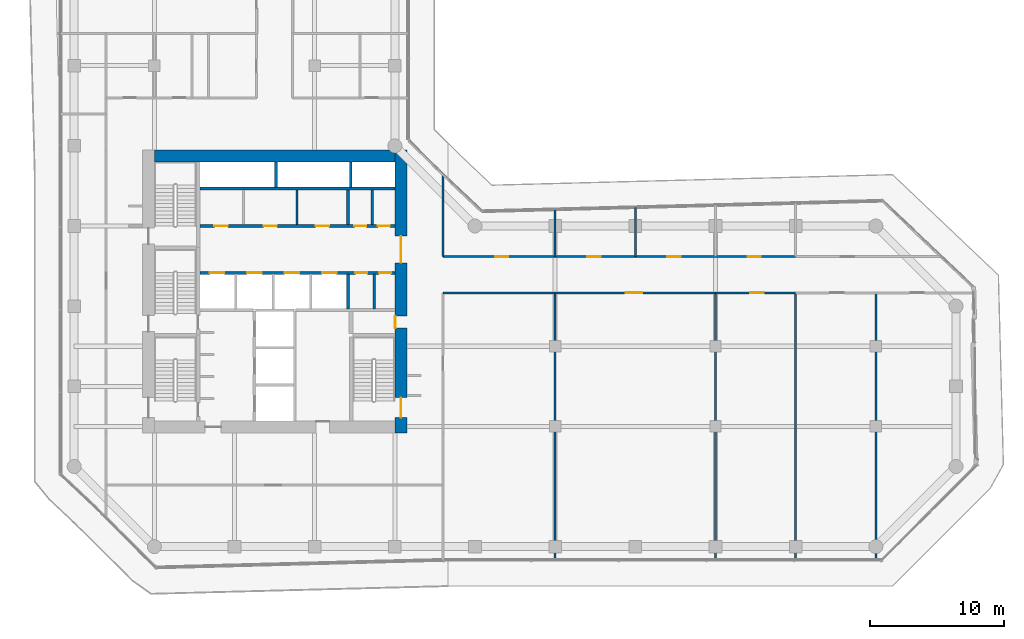
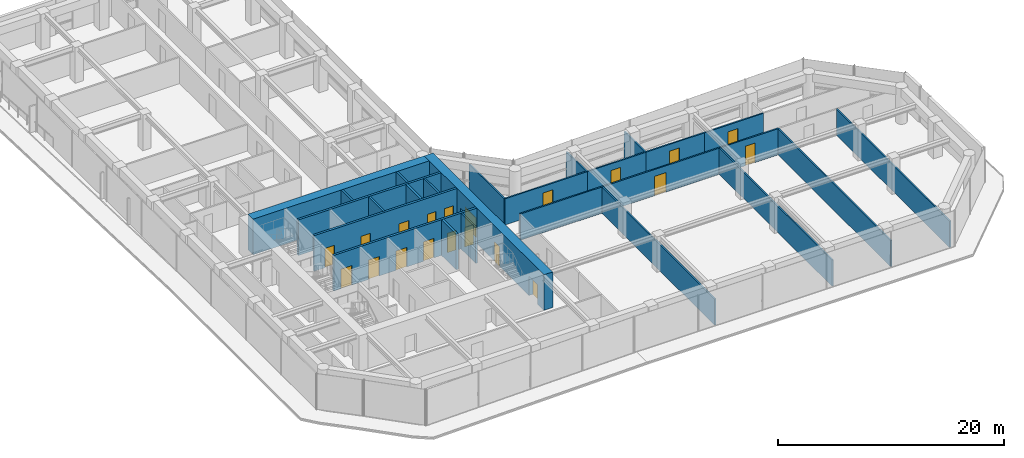
# One storey, part 24 of 29: 26 walls, 20 doors, 20 openings.
"""IFC4 building model written with IfcOpenShell, lengths in metres."""

import ifcopenshell
import ifcopenshell.guid

model = None  # the IFC model being written
_history = None  # IfcOwnerHistory: only IFC2X3 demands one
_inside = {}  # id of a spatial element -> (the spatial element, [elements in it])
_under = {}  # id of a project, library or spatial element -> (it, [spatial elements below it])
_declared = {}  # id of a project -> (the project, [libraries it declares])
_typed = {}  # id of a type object -> (the type object, [elements of that type])
_made_of = {}  # id of a material, layer set ... -> (it, [elements and type objects made of it])


def new_model(schema):
    """Start an empty IFC model of exactly this schema.

    Asked for "IFC4X3", IfcOpenShell would pick the latest addendum, in which some entities
    have other attributes; the version numbers below select the first issue.
    IFC2X3 requires an IfcOwnerHistory on every rooted entity: one is made here for all.
    """
    global model, _history
    if schema == "IFC4X3":
        model = ifcopenshell.file(schema_version=(4, 3, 0, 0))
    else:
        model = ifcopenshell.file(schema=schema)
    _inside.clear()
    _under.clear()
    _declared.clear()
    _typed.clear()
    _made_of.clear()
    _history = None
    if model.schema == "IFC2X3":
        org = make("IfcOrganization", Name="unknown")
        user = make(
            "IfcPersonAndOrganization",
            ThePerson=make("IfcPerson", FamilyName="unknown"),
            TheOrganization=org,
        )
        app = make(
            "IfcApplication",
            ApplicationDeveloper=org,
            Version="unknown",
            ApplicationFullName="unknown",
            ApplicationIdentifier="unknown",
        )
        _history = make(
            "IfcOwnerHistory",
            OwningUser=user,
            OwningApplication=app,
            ChangeAction="ADDED",
            CreationDate=0,
        )
    return model


def make(cls, **values):
    """One entity of the class cls with the attributes given. An attribute that is None is left unset."""
    return model.create_entity(
        cls, **{name: value for name, value in values.items() if value is not None}
    )


def rooted(cls, **values):
    """An entity with a GlobalId (a new one), such as an element, a storey or a relation."""
    return make(cls, GlobalId=ifcopenshell.guid.new(), OwnerHistory=_history, **values)


def si_unit(unit_type, name, prefix=None):
    """IfcSIUnit, for example si_unit("LENGTHUNIT", "METRE", prefix="MILLI")."""
    return make("IfcSIUnit", UnitType=unit_type, Prefix=prefix, Name=name)


def assignment(units):
    """IfcUnitAssignment: the units of a project."""
    return None if units is None else make("IfcUnitAssignment", Units=units)


def point(xyz):
    """IfcCartesianPoint."""
    return None if xyz is None else make("IfcCartesianPoint", Coordinates=xyz)


def direction(xyz):
    """IfcDirection."""
    return None if xyz is None else make("IfcDirection", DirectionRatios=xyz)


def frame(location, z_axis=None, x_axis=None):
    """IfcAxis2Placement3D, a coordinate frame: its origin and axes. An axis left out is left unset."""
    return make(
        "IfcAxis2Placement3D",
        Location=point(location),
        Axis=direction(z_axis),
        RefDirection=direction(x_axis),
    )


def frame_2d(location, x_axis=None):
    """IfcAxis2Placement2D, a coordinate frame in the plane: its origin and x axis."""
    return make(
        "IfcAxis2Placement2D", Location=point(location), RefDirection=direction(x_axis)
    )


def origin():
    """The frame at (0, 0, 0) with its axes left unset."""
    return frame((0.0, 0.0, 0.0))


def place(relative_to, where):
    """IfcLocalPlacement: puts the frame where relative to a parent placement (None: the world)."""
    return make(
        "IfcLocalPlacement", PlacementRelTo=relative_to, RelativePlacement=where
    )


def context(
    kind, dimensions, precision=None, world=None, true_north=None, identifier=None
):
    """IfcGeometricRepresentationContext, for example the 3D "Model" context."""
    return make(
        "IfcGeometricRepresentationContext",
        ContextIdentifier=identifier,
        ContextType=kind,
        CoordinateSpaceDimension=dimensions,
        Precision=precision,
        WorldCoordinateSystem=world,
        TrueNorth=true_north,
    )


def subcontext(parent, identifier, kind, view, scale=None):
    """IfcGeometricRepresentationSubContext, for example "Body" below "Model"."""
    return make(
        "IfcGeometricRepresentationSubContext",
        ContextIdentifier=identifier,
        ContextType=kind,
        ParentContext=parent,
        TargetScale=scale,
        TargetView=view,
    )


def project(units=None, contexts=None):
    """IfcProject with its units and contexts."""
    return rooted(
        "IfcProject",
        Name="project",
        RepresentationContexts=contexts,
        UnitsInContext=assignment(units),
    )


def spatial(cls, under=None, at=None, **own):
    """A site, building, storey or space (cls), placed at a placement, below another one or the project."""
    s = rooted(cls, ObjectPlacement=at, **own)
    if under is not None:
        _under.setdefault(under.id(), (under, []))[1].append(s)
    return s


def profile(cls, at=None, kind="AREA", **sizes):
    """A parametric profile (cls). Its sizes go by their IFC names, for example OverallWidth=200.0."""
    return make(cls, ProfileType=kind, Position=at, **sizes)


def rectangle(**sizes):
    """IfcRectangleProfileDef."""
    return profile("IfcRectangleProfileDef", **sizes)


def extrude(swept, where, along, depth):
    """IfcExtrudedAreaSolid: the profile swept, set in the frame where, extruded along a direction by depth."""
    return make(
        "IfcExtrudedAreaSolid",
        SweptArea=swept,
        Position=where,
        ExtrudedDirection=direction(along),
        Depth=depth,
    )


def shape(context_of_items, identifier, shape_type, items):
    """IfcShapeRepresentation: the items that make up one representation, for example the "Body"."""
    return make(
        "IfcShapeRepresentation",
        ContextOfItems=context_of_items,
        RepresentationIdentifier=identifier,
        RepresentationType=shape_type,
        Items=items,
    )


def material(Name=None, Category=None):
    """IfcMaterial."""
    return make("IfcMaterial", Name=Name, Category=Category)


def layer(
    of_material, thickness, ventilated=None, Name=None, Category=None, Priority=None
):
    """IfcMaterialLayer: one layer of a wall or slab, of a material (None: an air gap)."""
    return make(
        "IfcMaterialLayer",
        Material=of_material,
        LayerThickness=thickness,
        IsVentilated=ventilated,
        Name=Name,
        Category=Category,
        Priority=Priority,
    )


def layer_set(layers, Name=None):
    """IfcMaterialLayerSet."""
    return make("IfcMaterialLayerSet", MaterialLayers=layers, LayerSetName=Name)


def made_of(thing, what):
    """Note that an element or type object is made of a material, layer set ...; save() writes the relation."""
    if what is not None:
        _made_of.setdefault(what.id(), (what, []))[1].append(thing)
    return thing


def type_object(cls, material=None, **own):
    """A type object (cls), such as IfcWallType, which elements share."""
    return made_of(rooted(cls, **own), material)


def element(
    cls,
    number,
    at=None,
    inside=None,
    cuts=None,
    type_object=None,
    material=None,
    context=None,
    identifier="Body",
    shape_type=None,
    held_by="IfcProductDefinitionShape",
    body=None,
    shapes=None,
    **own,
):
    """One element of the class cls, such as IfcWall. Its Tag is "e" and its number.

    at: its placement. inside: the storey or other place that contains it. cuts: it is an
    opening in that element (IfcRelVoidsElement). A single representation is given by context,
    identifier, shape_type and body (its items); several are given by shapes. held_by: the class
    of the entity that holds the representations. save() writes the other relations.
    """
    e = rooted(cls, Tag="e%d" % number, ObjectPlacement=at, **own)
    if body is not None:
        shapes = [shape(context, identifier, shape_type, body)]
    if shapes is not None:
        e.Representation = make(held_by, Representations=shapes)
    if inside is not None:
        _inside.setdefault(inside.id(), (inside, []))[1].append(e)
    if cuts is not None:
        rooted(
            "IfcRelVoidsElement", RelatingBuildingElement=cuts, RelatedOpeningElement=e
        )
    if type_object is not None:
        _typed.setdefault(type_object.id(), (type_object, []))[1].append(e)
    return made_of(e, material)


def fill(opening, filler):
    """IfcRelFillsElement: the door or window that sits in an opening."""
    return rooted(
        "IfcRelFillsElement",
        RelatingOpeningElement=opening,
        RelatedBuildingElement=filler,
    )


def aggregate(whole, parts):
    """IfcRelAggregates: a whole, such as a stair, and the parts it consists of."""
    return rooted("IfcRelAggregates", RelatingObject=whole, RelatedObjects=parts)


def save(model, path):
    """Write the relations noted so far, then the file.

    IfcRelAggregates (storeys below a building ...), IfcRelContainedInSpatialStructure (elements
    in a storey), IfcRelDefinesByType, IfcRelAssociatesMaterial and IfcRelDeclares: one each for
    every whole, place, type object, material and project.
    """
    for whole, parts in _under.values():
        aggregate(whole, parts)
    for where, things in _inside.values():
        rooted(
            "IfcRelContainedInSpatialStructure",
            RelatedElements=things,
            RelatingStructure=where,
        )
    for kind, things in _typed.values():
        rooted("IfcRelDefinesByType", RelatedObjects=things, RelatingType=kind)
    for what, things in _made_of.values():
        rooted("IfcRelAssociatesMaterial", RelatedObjects=things, RelatingMaterial=what)
    for by, libraries in _declared.values():
        rooted("IfcRelDeclares", RelatingContext=by, RelatedDefinitions=libraries)
    model.write(path)


model = new_model("IFC4")

# Units and contexts
model_context = context("Model", 3, precision=1e-05, world=origin(), true_north=direction((0.0, 1.0)))
body_context = subcontext(model_context, "Body", "Model", "MODEL_VIEW")
ifc_project = project(units=[si_unit("LENGTHUNIT", "METRE"), si_unit("AREAUNIT", "SQUARE_METRE"), si_unit("VOLUMEUNIT", "CUBIC_METRE"), si_unit("PLANEANGLEUNIT", "RADIAN"), si_unit("MASSUNIT", "GRAM", prefix="KILO")], contexts=[model_context])

# Site, building, storey
site_placement = place(None, origin())
site = spatial("IfcSite", under=ifc_project, at=site_placement, CompositionType="ELEMENT")
building_placement = place(site_placement, origin())
building = spatial("IfcBuilding", under=site, at=building_placement, Name="Welwitschia Terrace Campus", CompositionType="ELEMENT")
storey_placement = place(building_placement, frame((0.0, 0.0, 58.39990234375)))
storey = spatial("IfcBuildingStorey", under=building, at=storey_placement, Name="L13", CompositionType="ELEMENT", Elevation=58.39990234375)

# Walls
ifc_material_1 = material(Name="Concrete C32/40", Category="concrete")
ifc_layer_1 = layer(ifc_material_1, 0.175048828125)
ifc_layer_set_1 = layer_set([ifc_layer_1], Name="Concrete C32/40")
wall_type_1 = type_object("IfcWallType", Name="Core partition 175 Concrete C32/40", PredefinedType="PARTITIONING", material=ifc_layer_set_1)
for number, where, z_axis, x_axis, name in (
    (1, (16.675048828125, 20.10009765625, 0.0), (0.0, 0.0, 1.0), (0.0, 1.0, 0.0), "Core partition"),
    (2, (22.300048828125, 20.10009765625, 0.0), (0.0, 0.0, 1.0), (0.0, 1.0, 0.0), "Core partition"),
    (3, (22.469970703125, 13.800048828125, 0.0), (0.0, 0.0, 1.0), (0.0, 1.0, 0.0), "Core partition"),
):
    element("IfcWall", number, at=place(storey_placement, frame(where, z_axis=z_axis, x_axis=x_axis)), inside=storey, type_object=wall_type_1, Name=name, PredefinedType="PARTITIONING", context=body_context, shape_type="SweptSolid", body=[
        extrude(rectangle(XDim=2.599853515625, YDim=0.175048828125, at=frame_2d((1.2998046875, 0.0))), origin(), (0.0, 0.0, 1.0), 3.85009765625),
    ])

# Wall, openings, doors
ifc_material_2 = material(Name="Concrete C32/40", Category="concrete")
ifc_layer_2 = layer(ifc_material_2, 0.22509765625)
ifc_layer_set_2 = layer_set([ifc_layer_2], Name="Concrete C32/40")
wall_type_2 = type_object("IfcWallType", Name="Core partition 225 Concrete C32/40", PredefinedType="PARTITIONING", material=ifc_layer_set_2)
wall_1_placement = place(storey_placement, frame((9.39990234375, 16.5, 0.0), z_axis=(0.0, 0.0, 1.0), x_axis=(1.0, 0.0, 0.0)))
wall_1 = element("IfcWall", 4, at=wall_1_placement, inside=storey, type_object=wall_type_2, Name="Shaft wall", PredefinedType="PARTITIONING", context=body_context, shape_type="SweptSolid", body=[
    extrude(rectangle(XDim=14.60009765625, YDim=0.22509765625, at=frame_2d((7.300048828125, 0.0))), origin(), (0.0, 0.0, 1.0), 3.85009765625),
])
opening_1_placement = place(wall_1_placement, frame((0.75, 0.0, 0.0)))
opening_1 = element("IfcOpeningElement", 5, at=opening_1_placement, cuts=wall_1, Name="Opening LD", PredefinedType="OPENING", context=body_context, shape_type="SweptSolid", body=[
    extrude(rectangle(XDim=1.10009765625, YDim=2.10009765625, at=frame_2d((0.550048828125, 1.050048828125))), frame((0.0, 0.12255859375, 0.0), z_axis=(0.0, -1.0, 0.0), x_axis=(1.0, 0.0, 0.0)), (0.0, 0.0, 1.0), 0.2451171875),
])
opening_2_placement = place(wall_1_placement, frame((3.550048828125, 0.0, 0.0)))
opening_2 = element("IfcOpeningElement", 6, at=opening_2_placement, cuts=wall_1, Name="Opening LD", PredefinedType="OPENING", context=body_context, shape_type="SweptSolid", body=[
    extrude(rectangle(XDim=1.10009765625, YDim=2.10009765625, at=frame_2d((0.550048828125, 1.050048828125))), frame((0.0, 0.12255859375, 0.0), z_axis=(0.0, -1.0, 0.0), x_axis=(1.0, 0.0, 0.0)), (0.0, 0.0, 1.0), 0.2451171875),
])
opening_3_placement = place(wall_1_placement, frame((6.35009765625, 0.0, 0.0)))
opening_3 = element("IfcOpeningElement", 7, at=opening_3_placement, cuts=wall_1, Name="Opening LD", PredefinedType="OPENING", context=body_context, shape_type="SweptSolid", body=[
    extrude(rectangle(XDim=1.10009765625, YDim=2.10009765625, at=frame_2d((0.550048828125, 1.050048828125))), frame((0.0, 0.12255859375, 0.0), z_axis=(0.0, -1.0, 0.0), x_axis=(1.0, 0.0, 0.0)), (0.0, 0.0, 1.0), 0.2451171875),
])
opening_4_placement = place(wall_1_placement, frame((9.14990234375, 0.0, 0.0)))
opening_4 = element("IfcOpeningElement", 8, at=opening_4_placement, cuts=wall_1, Name="Opening LD", PredefinedType="OPENING", context=body_context, shape_type="SweptSolid", body=[
    extrude(rectangle(XDim=1.10009765625, YDim=2.10009765625, at=frame_2d((0.550048828125, 1.050048828125))), frame((0.0, 0.12255859375, 0.0), z_axis=(0.0, -1.0, 0.0), x_axis=(1.0, 0.0, 0.0)), (0.0, 0.0, 1.0), 0.2451171875),
])
opening_5_placement = place(wall_1_placement, frame((11.6474609375, 0.0, 0.0)))
opening_5 = element("IfcOpeningElement", 9, at=opening_5_placement, cuts=wall_1, Name="Opening DR09", PredefinedType="OPENING", context=body_context, shape_type="SweptSolid", body=[
    extrude(rectangle(XDim=0.89990234375, YDim=2.10009765625, at=frame_2d((0.449951171875, 1.050048828125))), frame((0.0, 0.12255859375, 0.0), z_axis=(0.0, -1.0, 0.0), x_axis=(1.0, 0.0, 0.0)), (0.0, 0.0, 1.0), 0.2451171875),
])
opening_6_placement = place(wall_1_placement, frame((13.422607421875, 0.0, 0.0)))
opening_6 = element("IfcOpeningElement", 10, at=opening_6_placement, cuts=wall_1, Name="Opening DR09", PredefinedType="OPENING", context=body_context, shape_type="SweptSolid", body=[
    extrude(rectangle(XDim=0.89990234375, YDim=2.10009765625, at=frame_2d((0.449951171875, 1.050048828125))), frame((0.0, 0.12255859375, 0.0), z_axis=(0.0, -1.0, 0.0), x_axis=(1.0, 0.0, 0.0)), (0.0, 0.0, 1.0), 0.2451171875),
])
ifc_material_3 = material(Name="Steel S275", Category="steel")
door_type_1 = type_object("IfcDoorType", Name="Core door DR09", OperationType="SINGLE_SWING_LEFT", PredefinedType="DOOR", material=ifc_material_3)
door_1_placement = place(opening_5_placement, origin())
door_1 = element("IfcDoor", 11, at=door_1_placement, inside=storey, type_object=door_type_1, Name="Door EL1-D", OperationType="SINGLE_SWING_RIGHT", OverallHeight=2.10009765625, OverallWidth=0.89990234375, PredefinedType="DOOR", context=body_context, shape_type="SweptSolid", body=[
    extrude(rectangle(XDim=0.89990234375, YDim=2.10009765625, at=frame_2d((0.449951171875, 1.050048828125))), frame((0.0, 0.02490234375, 0.0), z_axis=(0.0, -1.0, 0.0), x_axis=(1.0, 0.0, 0.0)), (0.0, 0.0, 1.0), 0.050048828125),
])
fill(opening_5, door_1)
door_2_placement = place(opening_6_placement, origin())
door_2 = element("IfcDoor", 12, at=door_2_placement, inside=storey, type_object=door_type_1, Name="Door EL2-D", OperationType="SINGLE_SWING_RIGHT", OverallHeight=2.10009765625, OverallWidth=0.89990234375, PredefinedType="DOOR", context=body_context, shape_type="SweptSolid", body=[
    extrude(rectangle(XDim=0.89990234375, YDim=2.10009765625, at=frame_2d((0.449951171875, 1.050048828125))), frame((0.0, 0.02490234375, 0.0), z_axis=(0.0, -1.0, 0.0), x_axis=(1.0, 0.0, 0.0)), (0.0, 0.0, 1.0), 0.050048828125),
])
fill(opening_6, door_2)
ifc_material_4 = material(Name="Stainless steel 304", Category="steel")
door_type_2 = type_object("IfcDoorType", Name="Lift landing door", OperationType="DOUBLE_DOOR_SLIDING", PredefinedType="DOOR", material=ifc_material_4)
door_3_placement = place(opening_1_placement, origin())
door_3 = element("IfcDoor", 13, at=door_3_placement, inside=storey, type_object=door_type_2, Name="Landing door LR1", OperationType="DOUBLE_DOOR_SLIDING", OverallHeight=2.10009765625, OverallWidth=1.10009765625, PredefinedType="DOOR", context=body_context, shape_type="SweptSolid", body=[
    extrude(rectangle(XDim=1.10009765625, YDim=2.10009765625, at=frame_2d((0.550048828125, 1.050048828125))), frame((0.0, 0.02490234375, 0.0), z_axis=(0.0, -1.0, 0.0), x_axis=(1.0, 0.0, 0.0)), (0.0, 0.0, 1.0), 0.050048828125),
])
fill(opening_1, door_3)
door_4_placement = place(opening_2_placement, origin())
door_4 = element("IfcDoor", 14, at=door_4_placement, inside=storey, type_object=door_type_2, Name="Landing door LR2", OperationType="DOUBLE_DOOR_SLIDING", OverallHeight=2.10009765625, OverallWidth=1.10009765625, PredefinedType="DOOR", context=body_context, shape_type="SweptSolid", body=[
    extrude(rectangle(XDim=1.10009765625, YDim=2.10009765625, at=frame_2d((0.550048828125, 1.050048828125))), frame((0.0, 0.02490234375, 0.0), z_axis=(0.0, -1.0, 0.0), x_axis=(1.0, 0.0, 0.0)), (0.0, 0.0, 1.0), 0.050048828125),
])
fill(opening_2, door_4)
door_5_placement = place(opening_3_placement, origin())
door_5 = element("IfcDoor", 15, at=door_5_placement, inside=storey, type_object=door_type_2, Name="Landing door LR3", OperationType="DOUBLE_DOOR_SLIDING", OverallHeight=2.10009765625, OverallWidth=1.10009765625, PredefinedType="DOOR", context=body_context, shape_type="SweptSolid", body=[
    extrude(rectangle(XDim=1.10009765625, YDim=2.10009765625, at=frame_2d((0.550048828125, 1.050048828125))), frame((0.0, 0.02490234375, 0.0), z_axis=(0.0, -1.0, 0.0), x_axis=(1.0, 0.0, 0.0)), (0.0, 0.0, 1.0), 0.050048828125),
])
fill(opening_3, door_5)
door_6_placement = place(opening_4_placement, origin())
door_6 = element("IfcDoor", 16, at=door_6_placement, inside=storey, type_object=door_type_2, Name="Landing door LR4", OperationType="DOUBLE_DOOR_SLIDING", OverallHeight=2.10009765625, OverallWidth=1.10009765625, PredefinedType="DOOR", context=body_context, shape_type="SweptSolid", body=[
    extrude(rectangle(XDim=1.10009765625, YDim=2.10009765625, at=frame_2d((0.550048828125, 1.050048828125))), frame((0.0, 0.02490234375, 0.0), z_axis=(0.0, -1.0, 0.0), x_axis=(1.0, 0.0, 0.0)), (0.0, 0.0, 1.0), 0.050048828125),
])
fill(opening_4, door_6)

wall_2_placement = place(storey_placement, frame((24.0, 20.0, 0.0), z_axis=(0.0, 0.0, 1.0), x_axis=(-1.0, 0.0, 0.0)))
wall_2 = element("IfcWall", 17, at=wall_2_placement, inside=storey, type_object=wall_type_2, Name="Core partition", PredefinedType="PARTITIONING", context=body_context, shape_type="SweptSolid", body=[
    extrude(rectangle(XDim=14.60009765625, YDim=0.22509765625, at=frame_2d((7.300048828125, 0.0))), origin(), (0.0, 0.0, 1.0), 3.85009765625),
])
opening_7_placement = place(wall_2_placement, frame((12.5, 0.0, 0.0)))
opening_7 = element("IfcOpeningElement", 18, at=opening_7_placement, cuts=wall_2, Name="Opening DR10", PredefinedType="OPENING", context=body_context, shape_type="SweptSolid", body=[
    extrude(rectangle(XDim=1.0, YDim=2.10009765625, at=frame_2d((0.5, 1.050048828125))), frame((0.0, 0.12255859375, 0.0), z_axis=(0.0, -1.0, 0.0), x_axis=(1.0, 0.0, 0.0)), (0.0, 0.0, 1.0), 0.2451171875),
])
opening_8_placement = place(wall_2_placement, frame((8.824951171875, 0.0, 0.0)))
opening_8 = element("IfcOpeningElement", 19, at=opening_8_placement, cuts=wall_2, Name="Opening DR10", PredefinedType="OPENING", context=body_context, shape_type="SweptSolid", body=[
    extrude(rectangle(XDim=1.0, YDim=2.10009765625, at=frame_2d((0.5, 1.050048828125))), frame((0.0, 0.12255859375, 0.0), z_axis=(0.0, -1.0, 0.0), x_axis=(1.0, 0.0, 0.0)), (0.0, 0.0, 1.0), 0.2451171875),
])
opening_9_placement = place(wall_2_placement, frame((4.925048828125, 0.0, 0.0)))
opening_9 = element("IfcOpeningElement", 20, at=opening_9_placement, cuts=wall_2, Name="Opening DR10", PredefinedType="OPENING", context=body_context, shape_type="SweptSolid", body=[
    extrude(rectangle(XDim=1.0, YDim=2.10009765625, at=frame_2d((0.5, 1.050048828125))), frame((0.0, 0.12255859375, 0.0), z_axis=(0.0, -1.0, 0.0), x_axis=(1.0, 0.0, 0.0)), (0.0, 0.0, 1.0), 0.2451171875),
])
opening_10_placement = place(wall_2_placement, frame((2.137451171875, 0.0, 0.0)))
opening_10 = element("IfcOpeningElement", 21, at=opening_10_placement, cuts=wall_2, Name="Opening DR09", PredefinedType="OPENING", context=body_context, shape_type="SweptSolid", body=[
    extrude(rectangle(XDim=0.89990234375, YDim=2.10009765625, at=frame_2d((0.449951171875, 1.050048828125))), frame((0.0, 0.12255859375, 0.0), z_axis=(0.0, -1.0, 0.0), x_axis=(1.0, 0.0, 0.0)), (0.0, 0.0, 1.0), 0.2451171875),
])
opening_11_placement = place(wall_2_placement, frame((0.362548828125, 0.0, 0.0)))
opening_11 = element("IfcOpeningElement", 22, at=opening_11_placement, cuts=wall_2, Name="Opening DR09", PredefinedType="OPENING", context=body_context, shape_type="SweptSolid", body=[
    extrude(rectangle(XDim=0.89990234375, YDim=2.10009765625, at=frame_2d((0.449951171875, 1.050048828125))), frame((0.0, 0.12255859375, 0.0), z_axis=(0.0, -1.0, 0.0), x_axis=(1.0, 0.0, 0.0)), (0.0, 0.0, 1.0), 0.2451171875),
])
door_7_placement = place(opening_10_placement, origin())
door_7 = element("IfcDoor", 23, at=door_7_placement, inside=storey, type_object=door_type_1, Name="Door EH1-D", OperationType="SINGLE_SWING_LEFT", OverallHeight=2.10009765625, OverallWidth=0.89990234375, PredefinedType="DOOR", context=body_context, shape_type="SweptSolid", body=[
    extrude(rectangle(XDim=0.89990234375, YDim=2.10009765625, at=frame_2d((0.449951171875, 1.050048828125))), frame((0.0, 0.02490234375, 0.0), z_axis=(0.0, -1.0, 0.0), x_axis=(1.0, 0.0, 0.0)), (0.0, 0.0, 1.0), 0.050048828125),
])
fill(opening_10, door_7)
door_8_placement = place(opening_11_placement, origin())
door_8 = element("IfcDoor", 24, at=door_8_placement, inside=storey, type_object=door_type_1, Name="Door EH2-D", OperationType="SINGLE_SWING_LEFT", OverallHeight=2.10009765625, OverallWidth=0.89990234375, PredefinedType="DOOR", context=body_context, shape_type="SweptSolid", body=[
    extrude(rectangle(XDim=0.89990234375, YDim=2.10009765625, at=frame_2d((0.449951171875, 1.050048828125))), frame((0.0, 0.02490234375, 0.0), z_axis=(0.0, -1.0, 0.0), x_axis=(1.0, 0.0, 0.0)), (0.0, 0.0, 1.0), 0.050048828125),
])
fill(opening_11, door_8)
ifc_material_5 = material(Name="Steel S275", Category="steel")
door_type_3 = type_object("IfcDoorType", Name="Core door DR10", OperationType="SINGLE_SWING_LEFT", PredefinedType="DOOR", material=ifc_material_5)
door_9_placement = place(opening_7_placement, origin())
door_9 = element("IfcDoor", 25, at=door_9_placement, inside=storey, type_object=door_type_3, Name="Door BAYH1-D", OperationType="SINGLE_SWING_RIGHT", OverallHeight=2.10009765625, OverallWidth=1.0, PredefinedType="DOOR", context=body_context, shape_type="SweptSolid", body=[
    extrude(rectangle(XDim=1.0, YDim=2.10009765625, at=frame_2d((0.5, 1.050048828125))), frame((0.0, 0.02490234375, 0.0), z_axis=(0.0, -1.0, 0.0), x_axis=(1.0, 0.0, 0.0)), (0.0, 0.0, 1.0), 0.050048828125),
])
fill(opening_7, door_9)
door_10_placement = place(opening_8_placement, origin())
door_10 = element("IfcDoor", 26, at=door_10_placement, inside=storey, type_object=door_type_3, Name="Door BAYH2-D", OperationType="SINGLE_SWING_RIGHT", OverallHeight=2.10009765625, OverallWidth=1.0, PredefinedType="DOOR", context=body_context, shape_type="SweptSolid", body=[
    extrude(rectangle(XDim=1.0, YDim=2.10009765625, at=frame_2d((0.5, 1.050048828125))), frame((0.0, 0.02490234375, 0.0), z_axis=(0.0, -1.0, 0.0), x_axis=(1.0, 0.0, 0.0)), (0.0, 0.0, 1.0), 0.050048828125),
])
fill(opening_8, door_10)
door_11_placement = place(opening_9_placement, origin())
door_11 = element("IfcDoor", 27, at=door_11_placement, inside=storey, type_object=door_type_3, Name="Door BAYH3-D", OperationType="SINGLE_SWING_LEFT", OverallHeight=2.10009765625, OverallWidth=1.0, PredefinedType="DOOR", context=body_context, shape_type="SweptSolid", body=[
    extrude(rectangle(XDim=1.0, YDim=2.10009765625, at=frame_2d((0.5, 1.050048828125))), frame((0.0, 0.02490234375, 0.0), z_axis=(0.0, -1.0, 0.0), x_axis=(1.0, 0.0, 0.0)), (0.0, 0.0, 1.0), 0.050048828125),
])
fill(opening_9, door_11)

# Walls
wall_3_placement = place(storey_placement, frame((9.39990234375, 22.800048828125, 0.0), z_axis=(0.0, 0.0, 1.0), x_axis=(1.0, 0.0, 0.0)))
element("IfcWall", 28, at=wall_3_placement, inside=storey, type_object=wall_type_2, Name="Shaft wall", PredefinedType="PARTITIONING", context=body_context, shape_type="SweptSolid", body=[
    extrude(rectangle(XDim=14.60009765625, YDim=0.22509765625, at=frame_2d((7.300048828125, 0.0))), origin(), (0.0, 0.0, 1.0), 3.85009765625),
])
for number, where, z_axis, x_axis, name in (
    (29, (20.5, 13.800048828125, 0.0), (0.0, 0.0, 1.0), (0.0, 1.0, 0.0), "Shaft wall"),
    (30, (20.5, 20.10009765625, 0.0), (0.0, 0.0, 1.0), (0.0, 1.0, 0.0), "Core partition"),
):
    element("IfcWall", number, at=place(storey_placement, frame(where, z_axis=z_axis, x_axis=x_axis)), inside=storey, type_object=wall_type_2, Name=name, PredefinedType="PARTITIONING", context=body_context, shape_type="SweptSolid", body=[
        extrude(rectangle(XDim=2.599853515625, YDim=0.22509765625, at=frame_2d((1.2998046875, 0.0))), origin(), (0.0, 0.0, 1.0), 3.85009765625),
    ])
ifc_material_6 = material(Name="Concrete C50/60", Category="concrete")
ifc_layer_3 = layer(ifc_material_6, 0.199951171875)
ifc_layer_set_3 = layer_set([ifc_layer_3], Name="Concrete C50/60")
wall_type_3 = type_object("IfcWallType", Name="Core wall 200 Concrete C50/60", PredefinedType="SHEAR", material=ifc_layer_set_3)
for number, where, z_axis, x_axis, name in (
    (31, (15.10009765625, 22.89990234375, 0.0), (0.0, 0.0, 1.0), (0.0, 1.0, 0.0), "Core wall"),
    (32, (20.699951171875, 22.89990234375, 0.0), (0.0, 0.0, 1.0), (0.0, 1.0, 0.0), "Core wall"),
):
    element("IfcWall", number, at=place(storey_placement, frame(where, z_axis=z_axis, x_axis=x_axis)), inside=storey, type_object=wall_type_3, Name=name, PredefinedType="SHEAR", context=body_context, shape_type="SweptSolid", body=[
        extrude(rectangle(XDim=1.900146484375, YDim=0.199951171875, at=frame_2d((0.9501953125, 0.0))), origin(), (0.0, 0.0, 1.0), 3.85009765625),
    ])

# Wall, openings, doors
ifc_material_7 = material(Name="Concrete C70/85", Category="concrete")
ifc_layer_4 = layer(ifc_material_7, 0.89990234375)
ifc_layer_set_4 = layer_set([ifc_layer_4], Name="Concrete C70/85")
wall_type_4 = type_object("IfcWallType", Name="Core wall 900 Concrete C70/85", PredefinedType="SHEAR", material=ifc_layer_set_4)
wall_4_placement = place(storey_placement, frame((24.449951171875, 25.699951171875, 0.0), z_axis=(0.0, 0.0, 1.0), x_axis=(0.0, -1.0, 0.0)))
wall_4 = element("IfcWall", 33, at=wall_4_placement, inside=storey, type_object=wall_type_4, Name="Core outer wall", PredefinedType="SHEAR", context=body_context, shape_type="SweptSolid", body=[
    extrude(rectangle(XDim=21.199951171875, YDim=0.89990234375, at=frame_2d((10.60009765625, 0.0))), origin(), (0.0, 0.0, 1.0), 3.85009765625),
])
opening_12_placement = place(wall_4_placement, frame((18.550048828125, 0.0, 0.0)))
opening_12 = element("IfcOpeningElement", 34, at=opening_12_placement, cuts=wall_4, Name="Opening DS15", PredefinedType="OPENING", context=body_context, shape_type="SweptSolid", body=[
    extrude(rectangle(XDim=1.5, YDim=2.10009765625, at=frame_2d((0.75, 1.050048828125))), frame((0.0, 0.4599609375, 0.0), z_axis=(0.0, -1.0, 0.0), x_axis=(1.0, 0.0, 0.0)), (0.0, 0.0, 1.0), 0.919921875),
])
opening_13_placement = place(wall_4_placement, frame((12.449951171875, 0.0, 0.0)))
opening_13 = element("IfcOpeningElement", 35, at=opening_13_placement, cuts=wall_4, Name="Opening DR09", PredefinedType="OPENING", context=body_context, shape_type="SweptSolid", body=[
    extrude(rectangle(XDim=0.89990234375, YDim=2.10009765625, at=frame_2d((0.449951171875, 1.050048828125))), frame((0.0, 0.4599609375, 0.0), z_axis=(0.0, -1.0, 0.0), x_axis=(1.0, 0.0, 0.0)), (0.0, 0.0, 1.0), 0.919921875),
])
opening_14_placement = place(wall_4_placement, frame((6.449951171875, 0.0, 0.0)))
opening_14 = element("IfcOpeningElement", 36, at=opening_14_placement, cuts=wall_4, Name="Opening DL20", PredefinedType="OPENING", context=body_context, shape_type="SweptSolid", body=[
    extrude(rectangle(XDim=2.0, YDim=2.10009765625, at=frame_2d((1.0, 1.050048828125))), frame((0.0, 0.4599609375, 0.0), z_axis=(0.0, -1.0, 0.0), x_axis=(1.0, 0.0, 0.0)), (0.0, 0.0, 1.0), 0.919921875),
])
ifc_material_8 = material(Name="Steel S275", Category="steel")
door_type_4 = type_object("IfcDoorType", Name="Core door DL20", OperationType="DOUBLE_DOOR_SINGLE_SWING", PredefinedType="DOOR", material=ifc_material_8)
door_12_placement = place(opening_14_placement, origin())
door_12 = element("IfcDoor", 37, at=door_12_placement, inside=storey, type_object=door_type_4, Name="Door LOBBY-out", OperationType="DOUBLE_DOOR_SINGLE_SWING", OverallHeight=2.10009765625, OverallWidth=2.0, PredefinedType="DOOR", context=body_context, shape_type="SweptSolid", body=[
    extrude(rectangle(XDim=2.0, YDim=2.10009765625, at=frame_2d((1.0, 1.050048828125))), frame((0.0, 0.02490234375, 0.0), z_axis=(0.0, -1.0, 0.0), x_axis=(1.0, 0.0, 0.0)), (0.0, 0.0, 1.0), 0.050048828125),
])
fill(opening_14, door_12)
door_13_placement = place(opening_13_placement, origin())
door_13 = element("IfcDoor", 38, at=door_13_placement, inside=storey, type_object=door_type_1, Name="Door F1B-out", OperationType="SINGLE_SWING_RIGHT", OverallHeight=2.10009765625, OverallWidth=0.89990234375, PredefinedType="DOOR", context=body_context, shape_type="SweptSolid", body=[
    extrude(rectangle(XDim=0.89990234375, YDim=2.10009765625, at=frame_2d((0.449951171875, 1.050048828125))), frame((0.0, -0.39013671875, 0.0), z_axis=(0.0, -1.0, 0.0), x_axis=(1.0, 0.0, 0.0)), (0.0, 0.0, 1.0), 0.050048828125),
])
fill(opening_13, door_13)
ifc_material_9 = material(Name="Steel S275", Category="steel")
door_type_5 = type_object("IfcDoorType", Name="Core door DS15", OperationType="DOUBLE_DOOR_SINGLE_SWING", PredefinedType="DOOR", material=ifc_material_9)
door_14_placement = place(opening_12_placement, origin())
door_14 = element("IfcDoor", 39, at=door_14_placement, inside=storey, type_object=door_type_5, Name="Door S2-out", OperationType="DOUBLE_DOOR_SINGLE_SWING", OverallHeight=2.10009765625, OverallWidth=1.5, PredefinedType="DOOR", context=body_context, shape_type="SweptSolid", body=[
    extrude(rectangle(XDim=1.5, YDim=2.10009765625, at=frame_2d((0.75, 1.050048828125))), frame((0.0, 0.02490234375, 0.0), z_axis=(0.0, -1.0, 0.0), x_axis=(1.0, 0.0, 0.0)), (0.0, 0.0, 1.0), 0.050048828125),
])
fill(opening_12, door_14)

# Walls
wall_5_placement = place(storey_placement, frame((6.0, 25.25, 0.0), z_axis=(0.0, 0.0, 1.0), x_axis=(1.0, 0.0, 0.0)))
element("IfcWall", 40, at=wall_5_placement, inside=storey, type_object=wall_type_4, Name="Core outer wall", PredefinedType="SHEAR", context=body_context, shape_type="SweptSolid", body=[
    extrude(rectangle(XDim=18.0, YDim=0.89990234375, at=frame_2d((9.0, 0.0))), origin(), (0.0, 0.0, 1.0), 3.85009765625),
])
ifc_material_10 = material(Name="Gypsum board on steel studs", Category="steel")
ifc_layer_5 = layer(ifc_material_10, 0.14990234375)
ifc_layer_set_5 = layer_set([ifc_layer_5], Name="Gypsum board on steel studs")
wall_type_5 = type_object("IfcWallType", Name="Corridor partition 150 EI 30", PredefinedType="PARTITIONING", material=ifc_layer_set_5)
wall_6_placement = place(storey_placement, frame((27.60009765625, 15.0, 0.0), z_axis=(0.0, 0.0, 1.0), x_axis=(1.0, 0.0, 0.0)))
element("IfcWall", 41, at=wall_6_placement, inside=storey, type_object=wall_type_5, Name="Partition", PredefinedType="PARTITIONING", context=body_context, shape_type="SweptSolid", body=[
    extrude(rectangle(XDim=8.39990234375, YDim=0.14990234375, at=frame_2d((4.199951171875, 0.0))), origin(), (0.0, 0.0, 1.0), 2.830078125),
])
wall_7_placement = place(storey_placement, frame((27.60009765625, 17.699951171875, 0.0), z_axis=(0.0, 0.0, 1.0), x_axis=(0.0, 1.0, 0.0)))
element("IfcWall", 42, at=wall_7_placement, inside=storey, type_object=wall_type_5, Name="Partition", PredefinedType="PARTITIONING", context=body_context, shape_type="SweptSolid", body=[
    extrude(rectangle(XDim=6.14013671875, YDim=0.14990234375, at=frame_2d((3.070068359375, 0.0))), origin(), (0.0, 0.0, 1.0), 2.830078125),
])

# Wall, opening, door
wall_8_placement = place(storey_placement, frame((27.60009765625, 17.699951171875, 0.0), z_axis=(0.0, 0.0, 1.0), x_axis=(1.0, 0.0, 0.0)))
wall_8 = element("IfcWall", 43, at=wall_8_placement, inside=storey, type_object=wall_type_5, Name="Partition", PredefinedType="PARTITIONING", context=body_context, shape_type="SweptSolid", body=[
    extrude(rectangle(XDim=8.39990234375, YDim=0.14990234375, at=frame_2d((4.199951171875, 0.0))), origin(), (0.0, 0.0, 1.0), 2.830078125),
])
opening_15_placement = place(wall_8_placement, frame((3.89990234375, 0.0, 0.0)))
opening_15 = element("IfcOpeningElement", 44, at=opening_15_placement, cuts=wall_8, Name="Opening DI10", PredefinedType="OPENING", context=body_context, shape_type="SweptSolid", body=[
    extrude(rectangle(XDim=1.0, YDim=2.10009765625, at=frame_2d((0.5, 1.050048828125))), frame((0.0, 0.0849609375, 0.0), z_axis=(0.0, -1.0, 0.0), x_axis=(1.0, 0.0, 0.0)), (0.0, 0.0, 1.0), 0.169921875),
])
ifc_material_11 = material(Name="Timber veneered door", Category="wood")
door_type_6 = type_object("IfcDoorType", Name="Interior door DI10", OperationType="NOTDEFINED", PredefinedType="DOOR", material=ifc_material_11)
door_15_placement = place(opening_15_placement, origin())
door_15 = element("IfcDoor", 45, at=door_15_placement, inside=storey, type_object=door_type_6, Name="Door L13 304", OperationType="SINGLE_SWING_LEFT", OverallHeight=2.10009765625, OverallWidth=1.0, PredefinedType="DOOR", context=body_context, shape_type="SweptSolid", body=[
    extrude(rectangle(XDim=1.0, YDim=2.10009765625, at=frame_2d((0.5, 1.050048828125))), frame((0.0, 0.02490234375, 0.0), z_axis=(0.0, -1.0, 0.0), x_axis=(1.0, 0.0, 0.0)), (0.0, 0.0, 1.0), 0.050048828125),
])
fill(opening_15, door_15)

# Walls
wall_9_placement = place(storey_placement, frame((36.0, -5.010009765625, 0.0), z_axis=(0.0, 0.0, 1.0), x_axis=(0.0, 1.0, 0.0)))
element("IfcWall", 46, at=wall_9_placement, inside=storey, type_object=wall_type_5, Name="Partition", PredefinedType="PARTITIONING", context=body_context, shape_type="SweptSolid", body=[
    extrude(rectangle(XDim=20.010009765625, YDim=0.14990234375, at=frame_2d((10.0048828125, 0.0))), origin(), (0.0, 0.0, 1.0), 2.830078125),
])
wall_10_placement = place(storey_placement, frame((36.0, 17.699951171875, 0.0), z_axis=(0.0, 0.0, 1.0), x_axis=(0.0, 1.0, 0.0)))
element("IfcWall", 47, at=wall_10_placement, inside=storey, type_object=wall_type_5, Name="Partition", PredefinedType="PARTITIONING", context=body_context, shape_type="SweptSolid", body=[
    extrude(rectangle(XDim=3.5400390625, YDim=0.14990234375, at=frame_2d((1.77001953125, 0.0))), origin(), (0.0, 0.0, 1.0), 2.830078125),
])

# Wall, opening, door
wall_11_placement = place(storey_placement, frame((36.0, 17.699951171875, 0.0), z_axis=(0.0, 0.0, 1.0), x_axis=(1.0, 0.0, 0.0)))
wall_11 = element("IfcWall", 48, at=wall_11_placement, inside=storey, type_object=wall_type_5, Name="Partition", PredefinedType="PARTITIONING", context=body_context, shape_type="SweptSolid", body=[
    extrude(rectangle(XDim=6.0, YDim=0.14990234375, at=frame_2d((3.0, 0.0))), origin(), (0.0, 0.0, 1.0), 2.830078125),
])
opening_16_placement = place(wall_11_placement, frame((2.39990234375, 0.0, 0.0)))
opening_16 = element("IfcOpeningElement", 49, at=opening_16_placement, cuts=wall_11, Name="Opening DI10", PredefinedType="OPENING", context=body_context, shape_type="SweptSolid", body=[
    extrude(rectangle(XDim=1.0, YDim=2.10009765625, at=frame_2d((0.5, 1.050048828125))), frame((0.0, 0.0849609375, 0.0), z_axis=(0.0, -1.0, 0.0), x_axis=(1.0, 0.0, 0.0)), (0.0, 0.0, 1.0), 0.169921875),
])
door_16_placement = place(opening_16_placement, origin())
door_16 = element("IfcDoor", 50, at=door_16_placement, inside=storey, type_object=door_type_6, Name="Door L13 305", OperationType="SINGLE_SWING_RIGHT", OverallHeight=2.10009765625, OverallWidth=1.0, PredefinedType="DOOR", context=body_context, shape_type="SweptSolid", body=[
    extrude(rectangle(XDim=1.0, YDim=2.10009765625, at=frame_2d((0.5, 1.050048828125))), frame((0.0, 0.02490234375, 0.0), z_axis=(0.0, -1.0, 0.0), x_axis=(1.0, 0.0, 0.0)), (0.0, 0.0, 1.0), 0.050048828125),
])
fill(opening_16, door_16)

# Wall
wall_12_placement = place(storey_placement, frame((42.0, 17.699951171875, 0.0), z_axis=(0.0, 0.0, 1.0), x_axis=(0.0, 1.0, 0.0)))
element("IfcWall", 51, at=wall_12_placement, inside=storey, type_object=wall_type_5, Name="Partition", PredefinedType="PARTITIONING", context=body_context, shape_type="SweptSolid", body=[
    extrude(rectangle(XDim=3.68994140625, YDim=0.14990234375, at=frame_2d((1.844970703125, 0.0))), origin(), (0.0, 0.0, 1.0), 2.830078125),
])

# Wall, opening, door
wall_13_placement = place(storey_placement, frame((42.0, 17.699951171875, 0.0), z_axis=(0.0, 0.0, 1.0), x_axis=(1.0, 0.0, 0.0)))
wall_13 = element("IfcWall", 52, at=wall_13_placement, inside=storey, type_object=wall_type_5, Name="Partition", PredefinedType="PARTITIONING", context=body_context, shape_type="SweptSolid", body=[
    extrude(rectangle(XDim=6.0, YDim=0.14990234375, at=frame_2d((3.0, 0.0))), origin(), (0.0, 0.0, 1.0), 2.830078125),
])
opening_17_placement = place(wall_13_placement, frame((2.39990234375, 0.0, 0.0)))
opening_17 = element("IfcOpeningElement", 53, at=opening_17_placement, cuts=wall_13, Name="Opening DI10", PredefinedType="OPENING", context=body_context, shape_type="SweptSolid", body=[
    extrude(rectangle(XDim=1.0, YDim=2.10009765625, at=frame_2d((0.5, 1.050048828125))), frame((0.0, 0.0849609375, 0.0), z_axis=(0.0, -1.0, 0.0), x_axis=(1.0, 0.0, 0.0)), (0.0, 0.0, 1.0), 0.169921875),
])
door_17_placement = place(opening_17_placement, origin())
door_17 = element("IfcDoor", 54, at=door_17_placement, inside=storey, type_object=door_type_6, Name="Door L13 306", OperationType="SINGLE_SWING_LEFT", OverallHeight=2.10009765625, OverallWidth=1.0, PredefinedType="DOOR", context=body_context, shape_type="SweptSolid", body=[
    extrude(rectangle(XDim=1.0, YDim=2.10009765625, at=frame_2d((0.5, 1.050048828125))), frame((0.0, 0.02490234375, 0.0), z_axis=(0.0, -1.0, 0.0), x_axis=(1.0, 0.0, 0.0)), (0.0, 0.0, 1.0), 0.050048828125),
])
fill(opening_17, door_17)

# Wall
wall_14_placement = place(storey_placement, frame((48.0, -5.010009765625, 0.0), z_axis=(0.0, 0.0, 1.0), x_axis=(0.0, 1.0, 0.0)))
element("IfcWall", 55, at=wall_14_placement, inside=storey, type_object=wall_type_5, Name="Partition", PredefinedType="PARTITIONING", context=body_context, shape_type="SweptSolid", body=[
    extrude(rectangle(XDim=20.010009765625, YDim=0.14990234375, at=frame_2d((10.0048828125, 0.0))), origin(), (0.0, 0.0, 1.0), 2.830078125),
])

# Wall, opening, door
wall_15_placement = place(storey_placement, frame((48.0, 15.0, 0.0), z_axis=(0.0, 0.0, 1.0), x_axis=(-1.0, 0.0, 0.0)))
wall_15 = element("IfcWall", 56, at=wall_15_placement, inside=storey, type_object=wall_type_5, Name="Partition", PredefinedType="PARTITIONING", context=body_context, shape_type="SweptSolid", body=[
    extrude(rectangle(XDim=12.0, YDim=0.14990234375, at=frame_2d((6.0, 0.0))), origin(), (0.0, 0.0, 1.0), 2.830078125),
])
opening_18_placement = place(wall_15_placement, frame((5.5, 0.0, 0.0)))
opening_18 = element("IfcOpeningElement", 57, at=opening_18_placement, cuts=wall_15, Name="Opening DI12", PredefinedType="OPENING", context=body_context, shape_type="SweptSolid", body=[
    extrude(rectangle(XDim=1.199951171875, YDim=2.10009765625, at=frame_2d((0.60009765625, 1.050048828125))), frame((0.0, 0.0849609375, 0.0), z_axis=(0.0, -1.0, 0.0), x_axis=(1.0, 0.0, 0.0)), (0.0, 0.0, 1.0), 0.169921875),
])
ifc_material_12 = material(Name="Timber veneered door", Category="wood")
door_type_7 = type_object("IfcDoorType", Name="Interior door DI12", OperationType="NOTDEFINED", PredefinedType="DOOR", material=ifc_material_12)
door_18_placement = place(opening_18_placement, origin())
door_18 = element("IfcDoor", 58, at=door_18_placement, inside=storey, type_object=door_type_7, Name="Door L13 307", OperationType="SINGLE_SWING_RIGHT", OverallHeight=2.10009765625, OverallWidth=1.199951171875, PredefinedType="DOOR", context=body_context, shape_type="SweptSolid", body=[
    extrude(rectangle(XDim=1.199951171875, YDim=2.10009765625, at=frame_2d((0.60009765625, 1.050048828125))), frame((0.0, 0.02490234375, 0.0), z_axis=(0.0, -1.0, 0.0), x_axis=(1.0, 0.0, 0.0)), (0.0, 0.0, 1.0), 0.050048828125),
])
fill(opening_18, door_18)

wall_16_placement = place(storey_placement, frame((48.0, 17.699951171875, 0.0), z_axis=(0.0, 0.0, 1.0), x_axis=(1.0, 0.0, 0.0)))
wall_16 = element("IfcWall", 59, at=wall_16_placement, inside=storey, type_object=wall_type_5, Name="Partition", PredefinedType="PARTITIONING", context=body_context, shape_type="SweptSolid", body=[
    extrude(rectangle(XDim=6.0, YDim=0.14990234375, at=frame_2d((3.0, 0.0))), origin(), (0.0, 0.0, 1.0), 2.830078125),
])
opening_19_placement = place(wall_16_placement, frame((2.39990234375, 0.0, 0.0)))
opening_19 = element("IfcOpeningElement", 60, at=opening_19_placement, cuts=wall_16, Name="Opening DI10", PredefinedType="OPENING", context=body_context, shape_type="SweptSolid", body=[
    extrude(rectangle(XDim=1.0, YDim=2.10009765625, at=frame_2d((0.5, 1.050048828125))), frame((0.0, 0.0849609375, 0.0), z_axis=(0.0, -1.0, 0.0), x_axis=(1.0, 0.0, 0.0)), (0.0, 0.0, 1.0), 0.169921875),
])
door_19_placement = place(opening_19_placement, origin())
door_19 = element("IfcDoor", 61, at=door_19_placement, inside=storey, type_object=door_type_6, Name="Door L13 308", OperationType="SINGLE_SWING_LEFT", OverallHeight=2.10009765625, OverallWidth=1.0, PredefinedType="DOOR", context=body_context, shape_type="SweptSolid", body=[
    extrude(rectangle(XDim=1.0, YDim=2.10009765625, at=frame_2d((0.5, 1.050048828125))), frame((0.0, 0.02490234375, 0.0), z_axis=(0.0, -1.0, 0.0), x_axis=(1.0, 0.0, 0.0)), (0.0, 0.0, 1.0), 0.050048828125),
])
fill(opening_19, door_19)

# Wall
wall_17_placement = place(storey_placement, frame((54.0, -4.992919921875, 0.0), z_axis=(0.0, 0.0, 1.0), x_axis=(0.0, 1.0, 0.0)))
element("IfcWall", 62, at=wall_17_placement, inside=storey, type_object=wall_type_5, Name="Partition", PredefinedType="PARTITIONING", context=body_context, shape_type="SweptSolid", body=[
    extrude(rectangle(XDim=19.992919921875, YDim=0.14990234375, at=frame_2d((9.99658203125, 0.0))), origin(), (0.0, 0.0, 1.0), 2.830078125),
])

# Wall, opening, door
wall_18_placement = place(storey_placement, frame((54.0, 15.0, 0.0), z_axis=(0.0, 0.0, 1.0), x_axis=(-1.0, 0.0, 0.0)))
wall_18 = element("IfcWall", 63, at=wall_18_placement, inside=storey, type_object=wall_type_5, Name="Partition", PredefinedType="PARTITIONING", context=body_context, shape_type="SweptSolid", body=[
    extrude(rectangle(XDim=6.0, YDim=0.14990234375, at=frame_2d((3.0, 0.0))), origin(), (0.0, 0.0, 1.0), 2.830078125),
])
opening_20_placement = place(wall_18_placement, frame((2.39990234375, 0.0, 0.0)))
opening_20 = element("IfcOpeningElement", 64, at=opening_20_placement, cuts=wall_18, Name="Opening DI10", PredefinedType="OPENING", context=body_context, shape_type="SweptSolid", body=[
    extrude(rectangle(XDim=1.0, YDim=2.10009765625, at=frame_2d((0.5, 1.050048828125))), frame((0.0, 0.0849609375, 0.0), z_axis=(0.0, -1.0, 0.0), x_axis=(1.0, 0.0, 0.0)), (0.0, 0.0, 1.0), 0.169921875),
])
door_20_placement = place(opening_20_placement, origin())
door_20 = element("IfcDoor", 65, at=door_20_placement, inside=storey, type_object=door_type_6, Name="Door L13 309", OperationType="SINGLE_SWING_RIGHT", OverallHeight=2.10009765625, OverallWidth=1.0, PredefinedType="DOOR", context=body_context, shape_type="SweptSolid", body=[
    extrude(rectangle(XDim=1.0, YDim=2.10009765625, at=frame_2d((0.5, 1.050048828125))), frame((0.0, 0.02490234375, 0.0), z_axis=(0.0, -1.0, 0.0), x_axis=(1.0, 0.0, 0.0)), (0.0, 0.0, 1.0), 0.050048828125),
])
fill(opening_20, door_20)

# Wall
wall_19_placement = place(storey_placement, frame((60.0, -5.010009765625, 0.0), z_axis=(0.0, 0.0, 1.0), x_axis=(0.0, 1.0, 0.0)))
element("IfcWall", 66, at=wall_19_placement, inside=storey, type_object=wall_type_5, Name="Partition", PredefinedType="PARTITIONING", context=body_context, shape_type="SweptSolid", body=[
    extrude(rectangle(XDim=20.010009765625, YDim=0.14990234375, at=frame_2d((10.0048828125, 0.0))), origin(), (0.0, 0.0, 1.0), 2.830078125),
])

save(model, "model.ifc")
